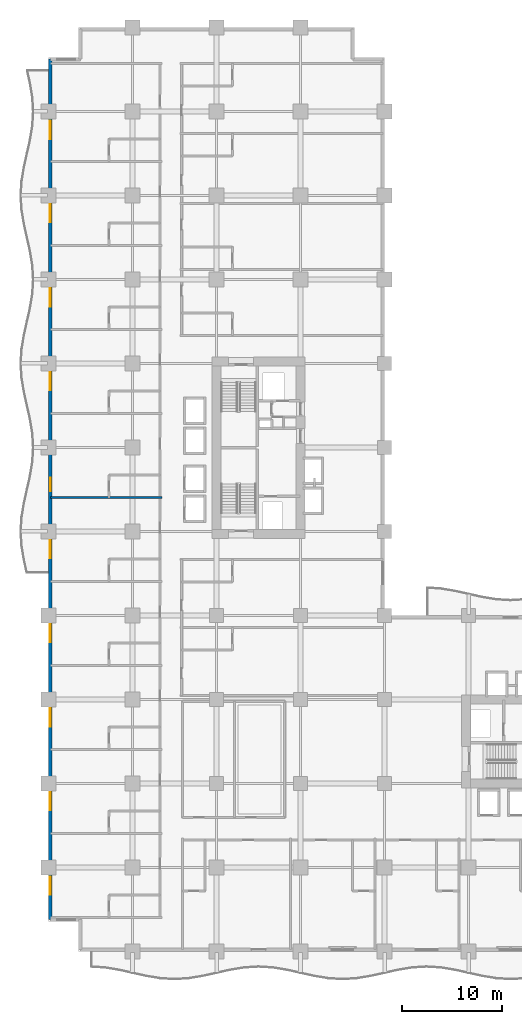
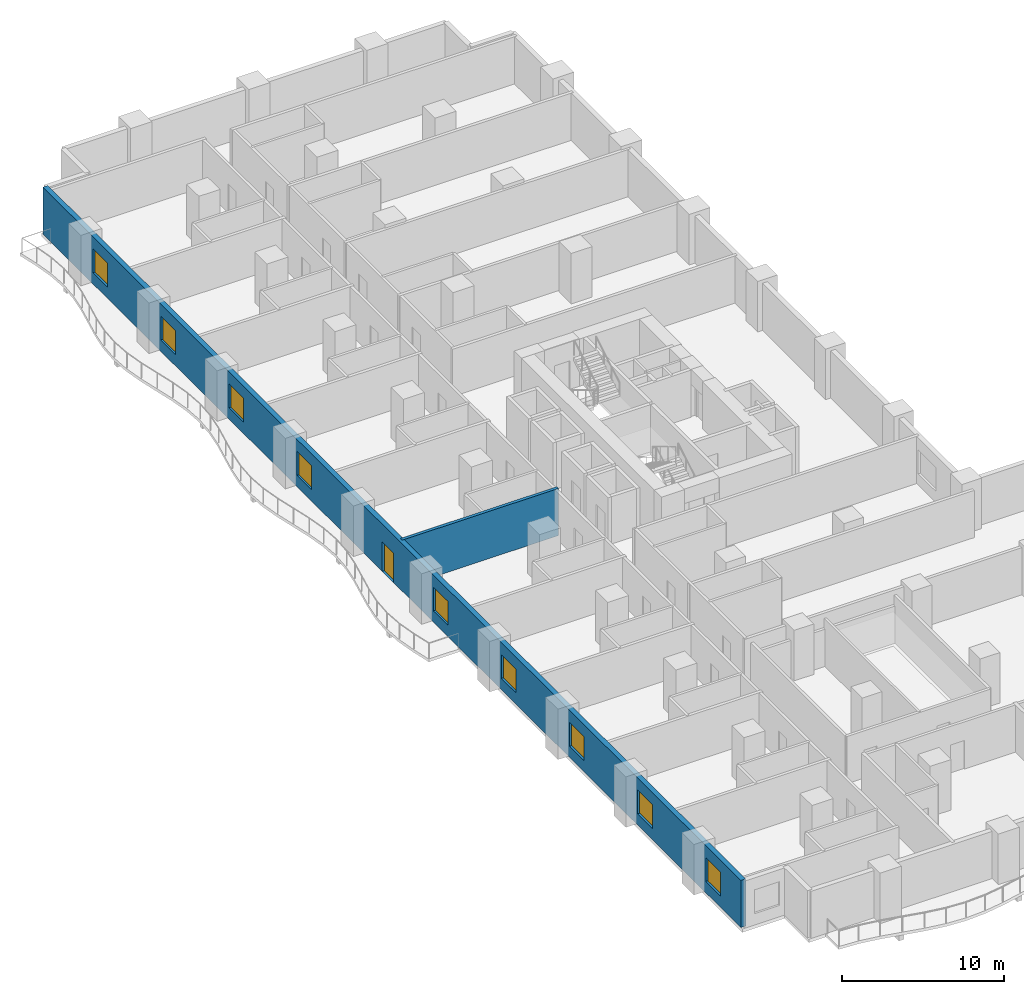
# One storey, part 14 of 26: 9 windows, 2 walls, 1 door, 10 openings.
"""IFC4 building model written with IfcOpenShell, lengths in metres."""

from ifc_helpers import new_model, si_unit, direction, frame, frame_2d, origin, place, context, subcontext, project, spatial, rectangle, extrude, material, layer, layer_set, type_object, element, fill, save


model = new_model("IFC4")

# Units and contexts
model_context = context("Model", 3, precision=1e-05, world=origin(), true_north=direction((0.0, 1.0)))
body_context = subcontext(model_context, "Body", "Model", "MODEL_VIEW")
ifc_project = project(units=[si_unit("LENGTHUNIT", "METRE"), si_unit("AREAUNIT", "SQUARE_METRE"), si_unit("VOLUMEUNIT", "CUBIC_METRE"), si_unit("PLANEANGLEUNIT", "RADIAN"), si_unit("MASSUNIT", "GRAM", prefix="KILO")], contexts=[model_context])

# Site, building, storey
site_placement = place(None, origin())
site = spatial("IfcSite", under=ifc_project, at=site_placement, CompositionType="ELEMENT")
building_placement = place(site_placement, origin())
building = spatial("IfcBuilding", under=site, at=building_placement, Name="Koriwani Terraces Tower", CompositionType="ELEMENT")
storey_placement = place(building_placement, frame((0.0, 0.0, 39.60009765625)))
storey = spatial("IfcBuildingStorey", under=building, at=storey_placement, Name="L08", CompositionType="ELEMENT", Elevation=39.60009765625)

# Wall
ifc_material_1 = material(Name="Autoclaved Cellular Concrete Blockwork", Category="masonry")
ifc_layer_1 = layer(ifc_material_1, 0.219970703125, Name="Autoclaved Cellular Concrete Blockwork")
ifc_layer_set_1 = layer_set([ifc_layer_1], Name="Autoclaved Cellular Concrete Blockwork")
wall_type_1 = type_object("IfcWallType", Name="WALL_DEMISING_220", PredefinedType="PARTITIONING", material=ifc_layer_set_1)
wall_1_placement = place(storey_placement, frame((0.199951171875, 45.39990234375, 0.0), z_axis=(0.0, 0.0, 1.0), x_axis=(1.0, 0.0, 0.0)))
element("IfcWall", 1, at=wall_1_placement, inside=storey, type_object=wall_type_1, Name="L08 Interior Wall WDEM-L08-NW-5", PredefinedType="PARTITIONING", context=body_context, shape_type="SweptSolid", body=[
    extrude(rectangle(XDim=11.130126953125, YDim=0.219970703125, at=frame_2d((5.56494140625, 0.0))), origin(), (0.0, 0.0, 1.0), 3.5498046875),
])

# Wall, openings, door, windows
ifc_material_2 = material(Name="Concrete C50/60", Category="concrete")
ifc_layer_2 = layer(ifc_material_2, 0.35009765625, Name="Concrete C50/60")
ifc_layer_set_2 = layer_set([ifc_layer_2], Name="Concrete C50/60")
wall_type_2 = type_object("IfcWallType", Name="WALL_EXT_BRUTALIST_350", PredefinedType="STANDARD", material=ifc_layer_set_2)
wall_2_placement = place(storey_placement, frame((0.175048828125, 3.175048828125, 0.0), z_axis=(0.0, 0.0, 1.0), x_axis=(0.0, 1.0, 0.0)))
wall_2 = element("IfcWall", 2, at=wall_2_placement, inside=storey, type_object=wall_type_2, Name="L08 Fair-Faced Brutalist Exterior Wall (W)", PredefinedType="STANDARD", context=body_context, shape_type="SweptSolid", body=[
    extrude(rectangle(XDim=86.050048828125, YDim=0.35009765625, at=frame_2d((43.02490234375, 0.0))), origin(), (0.0, 0.0, 1.0), 3.5498046875),
])
opening_1_placement = place(wall_2_placement, frame((42.824951171875, 0.0, 0.0)))
opening_1 = element("IfcOpeningElement", 3, at=opening_1_placement, cuts=wall_2, Name="Opening D-09", PredefinedType="OPENING", context=body_context, shape_type="SweptSolid", body=[
    extrude(rectangle(XDim=1.39990234375, YDim=2.199951171875, at=frame_2d((0.699951171875, 1.10009765625))), frame((0.0, 0.18505859375, 0.0), z_axis=(0.0, -1.0, 0.0), x_axis=(1.0, 0.0, 0.0)), (0.0, 0.0, 1.0), 0.3701171875),
])
opening_2_placement = place(wall_2_placement, frame((2.52490234375, 0.0, 0.85009765625)))
opening_2 = element("IfcOpeningElement", 4, at=opening_2_placement, cuts=wall_2, Name="Opening W-04", PredefinedType="OPENING", context=body_context, shape_type="SweptSolid", body=[
    extrude(rectangle(XDim=1.800048828125, YDim=1.800048828125, at=frame_2d((0.89990234375, 0.89990234375))), frame((0.0, 0.18505859375, 0.0), z_axis=(0.0, -1.0, 0.0), x_axis=(1.0, 0.0, 0.0)), (0.0, 0.0, 1.0), 0.3701171875),
])
opening_3_placement = place(wall_2_placement, frame((10.925048828125, 0.0, 0.85009765625)))
opening_3 = element("IfcOpeningElement", 5, at=opening_3_placement, cuts=wall_2, Name="Opening W-04", PredefinedType="OPENING", context=body_context, shape_type="SweptSolid", body=[
    extrude(rectangle(XDim=1.800048828125, YDim=1.800048828125, at=frame_2d((0.89990234375, 0.89990234375))), frame((0.0, 0.18505859375, 0.0), z_axis=(0.0, -1.0, 0.0), x_axis=(1.0, 0.0, 0.0)), (0.0, 0.0, 1.0), 0.3701171875),
])
opening_4_placement = place(wall_2_placement, frame((19.324951171875, 0.0, 0.85009765625)))
opening_4 = element("IfcOpeningElement", 6, at=opening_4_placement, cuts=wall_2, Name="Opening W-04", PredefinedType="OPENING", context=body_context, shape_type="SweptSolid", body=[
    extrude(rectangle(XDim=1.800048828125, YDim=1.800048828125, at=frame_2d((0.89990234375, 0.89990234375))), frame((0.0, 0.18505859375, 0.0), z_axis=(0.0, -1.0, 0.0), x_axis=(1.0, 0.0, 0.0)), (0.0, 0.0, 1.0), 0.3701171875),
])
opening_5_placement = place(wall_2_placement, frame((27.72509765625, 0.0, 0.85009765625)))
opening_5 = element("IfcOpeningElement", 7, at=opening_5_placement, cuts=wall_2, Name="Opening W-04", PredefinedType="OPENING", context=body_context, shape_type="SweptSolid", body=[
    extrude(rectangle(XDim=1.800048828125, YDim=1.800048828125, at=frame_2d((0.89990234375, 0.89990234375))), frame((0.0, 0.18505859375, 0.0), z_axis=(0.0, -1.0, 0.0), x_axis=(1.0, 0.0, 0.0)), (0.0, 0.0, 1.0), 0.3701171875),
])
opening_6_placement = place(wall_2_placement, frame((36.125, 0.0, 0.85009765625)))
opening_6 = element("IfcOpeningElement", 8, at=opening_6_placement, cuts=wall_2, Name="Opening W-04", PredefinedType="OPENING", context=body_context, shape_type="SweptSolid", body=[
    extrude(rectangle(XDim=1.800048828125, YDim=1.800048828125, at=frame_2d((0.89990234375, 0.89990234375))), frame((0.0, 0.18505859375, 0.0), z_axis=(0.0, -1.0, 0.0), x_axis=(1.0, 0.0, 0.0)), (0.0, 0.0, 1.0), 0.3701171875),
])
opening_7_placement = place(wall_2_placement, frame((52.925048828125, 0.0, 0.85009765625)))
opening_7 = element("IfcOpeningElement", 9, at=opening_7_placement, cuts=wall_2, Name="Opening W-04", PredefinedType="OPENING", context=body_context, shape_type="SweptSolid", body=[
    extrude(rectangle(XDim=1.800048828125, YDim=1.800048828125, at=frame_2d((0.89990234375, 0.89990234375))), frame((0.0, 0.18505859375, 0.0), z_axis=(0.0, -1.0, 0.0), x_axis=(1.0, 0.0, 0.0)), (0.0, 0.0, 1.0), 0.3701171875),
])
opening_8_placement = place(wall_2_placement, frame((61.324951171875, 0.0, 0.85009765625)))
opening_8 = element("IfcOpeningElement", 10, at=opening_8_placement, cuts=wall_2, Name="Opening W-04", PredefinedType="OPENING", context=body_context, shape_type="SweptSolid", body=[
    extrude(rectangle(XDim=1.800048828125, YDim=1.800048828125, at=frame_2d((0.89990234375, 0.89990234375))), frame((0.0, 0.18505859375, 0.0), z_axis=(0.0, -1.0, 0.0), x_axis=(1.0, 0.0, 0.0)), (0.0, 0.0, 1.0), 0.3701171875),
])
opening_9_placement = place(wall_2_placement, frame((69.72509765625, 0.0, 0.85009765625)))
opening_9 = element("IfcOpeningElement", 11, at=opening_9_placement, cuts=wall_2, Name="Opening W-04", PredefinedType="OPENING", context=body_context, shape_type="SweptSolid", body=[
    extrude(rectangle(XDim=1.800048828125, YDim=1.800048828125, at=frame_2d((0.89990234375, 0.89990234375))), frame((0.0, 0.18505859375, 0.0), z_axis=(0.0, -1.0, 0.0), x_axis=(1.0, 0.0, 0.0)), (0.0, 0.0, 1.0), 0.3701171875),
])
opening_10_placement = place(wall_2_placement, frame((78.074951171875, 0.0, 0.85009765625)))
opening_10 = element("IfcOpeningElement", 12, at=opening_10_placement, cuts=wall_2, Name="Opening W-04", PredefinedType="OPENING", context=body_context, shape_type="SweptSolid", body=[
    extrude(rectangle(XDim=1.800048828125, YDim=1.800048828125, at=frame_2d((0.89990234375, 0.89990234375))), frame((0.0, 0.18505859375, 0.0), z_axis=(0.0, -1.0, 0.0), x_axis=(1.0, 0.0, 0.0)), (0.0, 0.0, 1.0), 0.3701171875),
])
ifc_material_3 = material(Name="Anodised Bronze Aluminium", Category="aluminium")
door_type = type_object("IfcDoorType", Name="DOOR_BALCONY_GLAZED_1400X2200", OperationType="NOTDEFINED", PredefinedType="DOOR", material=ifc_material_3)
door_placement = place(opening_1_placement, origin())
door = element("IfcDoor", 13, at=door_placement, inside=storey, type_object=door_type, Name="L08 West Balcony Glazed Door", OperationType="SINGLE_SWING_LEFT", OverallHeight=2.199951171875, OverallWidth=1.39990234375, PredefinedType="DOOR", context=body_context, shape_type="SweptSolid", body=[
    extrude(rectangle(XDim=1.39990234375, YDim=2.199951171875, at=frame_2d((0.699951171875, 1.10009765625))), frame((0.0, 0.02490234375, 0.0), z_axis=(0.0, -1.0, 0.0), x_axis=(1.0, 0.0, 0.0)), (0.0, 0.0, 1.0), 0.050048828125),
])
fill(opening_1, door)
ifc_material_4 = material(Name="Tempered Laminated Low-E Glass", Category="glass")
window_type = type_object("IfcWindowType", Name="WIN_RES_BED_1800X1800", PartitioningType="DOUBLE_PANEL_VERTICAL", PredefinedType="WINDOW", material=ifc_material_4)
window_1_placement = place(opening_2_placement, origin())
window_1 = element("IfcWindow", 14, at=window_1_placement, inside=storey, type_object=window_type, Name="L08 Exterior Window (W-R36)", OverallHeight=1.800048828125, OverallWidth=1.800048828125, PartitioningType="SINGLE_PANEL", PredefinedType="WINDOW", context=body_context, shape_type="SweptSolid", body=[
    extrude(rectangle(XDim=1.800048828125, YDim=1.800048828125, at=frame_2d((0.89990234375, 0.89990234375))), frame((0.0, 0.030029296875, 0.0), z_axis=(0.0, -1.0, 0.0), x_axis=(1.0, 0.0, 0.0)), (0.0, 0.0, 1.0), 0.06005859375),
])
fill(opening_2, window_1)
window_2_placement = place(opening_3_placement, origin())
window_2 = element("IfcWindow", 15, at=window_2_placement, inside=storey, type_object=window_type, Name="L08 Exterior Window (W-R38)", OverallHeight=1.800048828125, OverallWidth=1.800048828125, PartitioningType="SINGLE_PANEL", PredefinedType="WINDOW", context=body_context, shape_type="SweptSolid", body=[
    extrude(rectangle(XDim=1.800048828125, YDim=1.800048828125, at=frame_2d((0.89990234375, 0.89990234375))), frame((0.0, 0.030029296875, 0.0), z_axis=(0.0, -1.0, 0.0), x_axis=(1.0, 0.0, 0.0)), (0.0, 0.0, 1.0), 0.06005859375),
])
fill(opening_3, window_2)
window_3_placement = place(opening_4_placement, origin())
window_3 = element("IfcWindow", 16, at=window_3_placement, inside=storey, type_object=window_type, Name="L08 Exterior Window (W-R40)", OverallHeight=1.800048828125, OverallWidth=1.800048828125, PartitioningType="SINGLE_PANEL", PredefinedType="WINDOW", context=body_context, shape_type="SweptSolid", body=[
    extrude(rectangle(XDim=1.800048828125, YDim=1.800048828125, at=frame_2d((0.89990234375, 0.89990234375))), frame((0.0, 0.030029296875, 0.0), z_axis=(0.0, -1.0, 0.0), x_axis=(1.0, 0.0, 0.0)), (0.0, 0.0, 1.0), 0.06005859375),
])
fill(opening_4, window_3)
window_4_placement = place(opening_5_placement, origin())
window_4 = element("IfcWindow", 17, at=window_4_placement, inside=storey, type_object=window_type, Name="L08 Exterior Window (W-R42)", OverallHeight=1.800048828125, OverallWidth=1.800048828125, PartitioningType="SINGLE_PANEL", PredefinedType="WINDOW", context=body_context, shape_type="SweptSolid", body=[
    extrude(rectangle(XDim=1.800048828125, YDim=1.800048828125, at=frame_2d((0.89990234375, 0.89990234375))), frame((0.0, 0.030029296875, 0.0), z_axis=(0.0, -1.0, 0.0), x_axis=(1.0, 0.0, 0.0)), (0.0, 0.0, 1.0), 0.06005859375),
])
fill(opening_5, window_4)
window_5_placement = place(opening_6_placement, origin())
window_5 = element("IfcWindow", 18, at=window_5_placement, inside=storey, type_object=window_type, Name="L08 Exterior Window (W-R44)", OverallHeight=1.800048828125, OverallWidth=1.800048828125, PartitioningType="SINGLE_PANEL", PredefinedType="WINDOW", context=body_context, shape_type="SweptSolid", body=[
    extrude(rectangle(XDim=1.800048828125, YDim=1.800048828125, at=frame_2d((0.89990234375, 0.89990234375))), frame((0.0, 0.030029296875, 0.0), z_axis=(0.0, -1.0, 0.0), x_axis=(1.0, 0.0, 0.0)), (0.0, 0.0, 1.0), 0.06005859375),
])
fill(opening_6, window_5)
window_6_placement = place(opening_7_placement, origin())
window_6 = element("IfcWindow", 19, at=window_6_placement, inside=storey, type_object=window_type, Name="L08 Exterior Window (W-R48)", OverallHeight=1.800048828125, OverallWidth=1.800048828125, PartitioningType="SINGLE_PANEL", PredefinedType="WINDOW", context=body_context, shape_type="SweptSolid", body=[
    extrude(rectangle(XDim=1.800048828125, YDim=1.800048828125, at=frame_2d((0.89990234375, 0.89990234375))), frame((0.0, 0.030029296875, 0.0), z_axis=(0.0, -1.0, 0.0), x_axis=(1.0, 0.0, 0.0)), (0.0, 0.0, 1.0), 0.06005859375),
])
fill(opening_7, window_6)
window_7_placement = place(opening_8_placement, origin())
window_7 = element("IfcWindow", 20, at=window_7_placement, inside=storey, type_object=window_type, Name="L08 Exterior Window (W-R50)", OverallHeight=1.800048828125, OverallWidth=1.800048828125, PartitioningType="SINGLE_PANEL", PredefinedType="WINDOW", context=body_context, shape_type="SweptSolid", body=[
    extrude(rectangle(XDim=1.800048828125, YDim=1.800048828125, at=frame_2d((0.89990234375, 0.89990234375))), frame((0.0, 0.030029296875, 0.0), z_axis=(0.0, -1.0, 0.0), x_axis=(1.0, 0.0, 0.0)), (0.0, 0.0, 1.0), 0.06005859375),
])
fill(opening_8, window_7)
window_8_placement = place(opening_9_placement, origin())
window_8 = element("IfcWindow", 21, at=window_8_placement, inside=storey, type_object=window_type, Name="L08 Exterior Window (W-R52)", OverallHeight=1.800048828125, OverallWidth=1.800048828125, PartitioningType="SINGLE_PANEL", PredefinedType="WINDOW", context=body_context, shape_type="SweptSolid", body=[
    extrude(rectangle(XDim=1.800048828125, YDim=1.800048828125, at=frame_2d((0.89990234375, 0.89990234375))), frame((0.0, 0.030029296875, 0.0), z_axis=(0.0, -1.0, 0.0), x_axis=(1.0, 0.0, 0.0)), (0.0, 0.0, 1.0), 0.06005859375),
])
fill(opening_9, window_8)
window_9_placement = place(opening_10_placement, origin())
window_9 = element("IfcWindow", 22, at=window_9_placement, inside=storey, type_object=window_type, Name="L08 Exterior Window (W-R54)", OverallHeight=1.800048828125, OverallWidth=1.800048828125, PartitioningType="SINGLE_PANEL", PredefinedType="WINDOW", context=body_context, shape_type="SweptSolid", body=[
    extrude(rectangle(XDim=1.800048828125, YDim=1.800048828125, at=frame_2d((0.89990234375, 0.89990234375))), frame((0.0, 0.030029296875, 0.0), z_axis=(0.0, -1.0, 0.0), x_axis=(1.0, 0.0, 0.0)), (0.0, 0.0, 1.0), 0.06005859375),
])
fill(opening_10, window_9)

save(model, "model.ifc")
